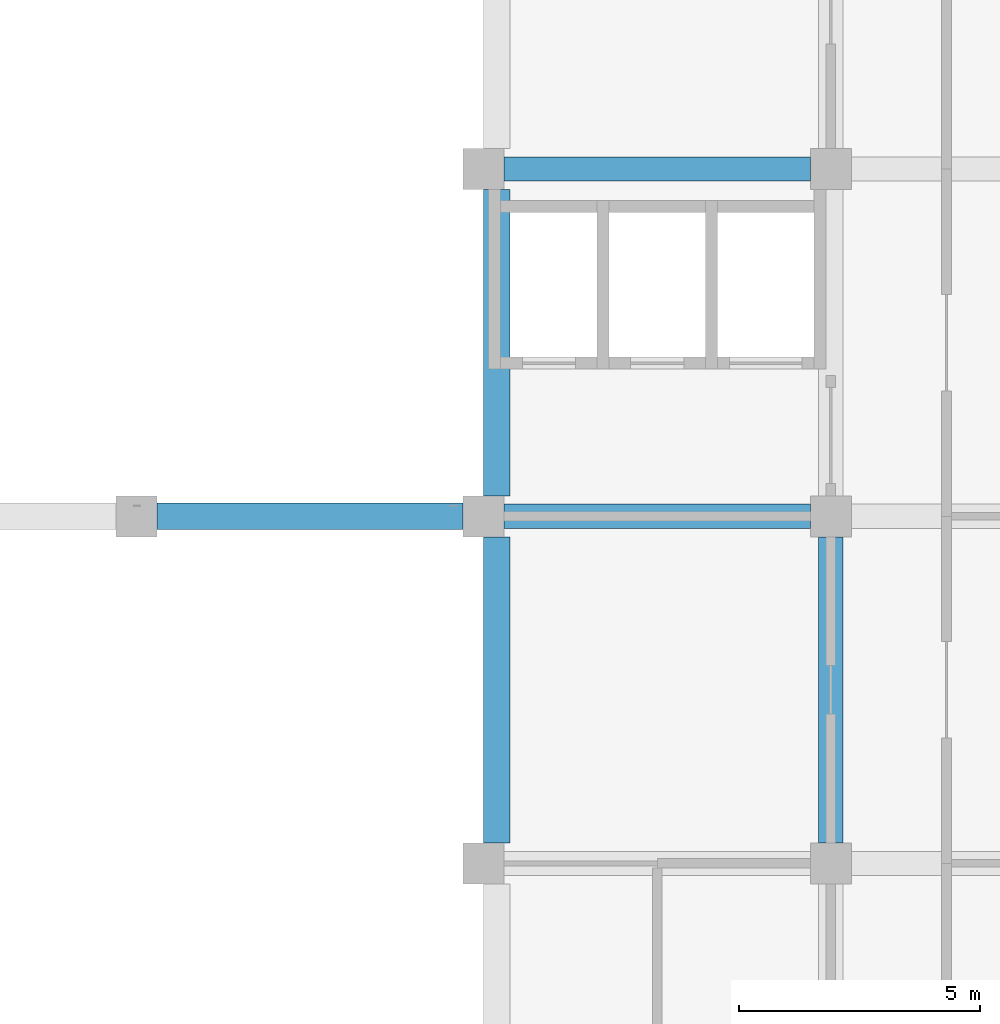
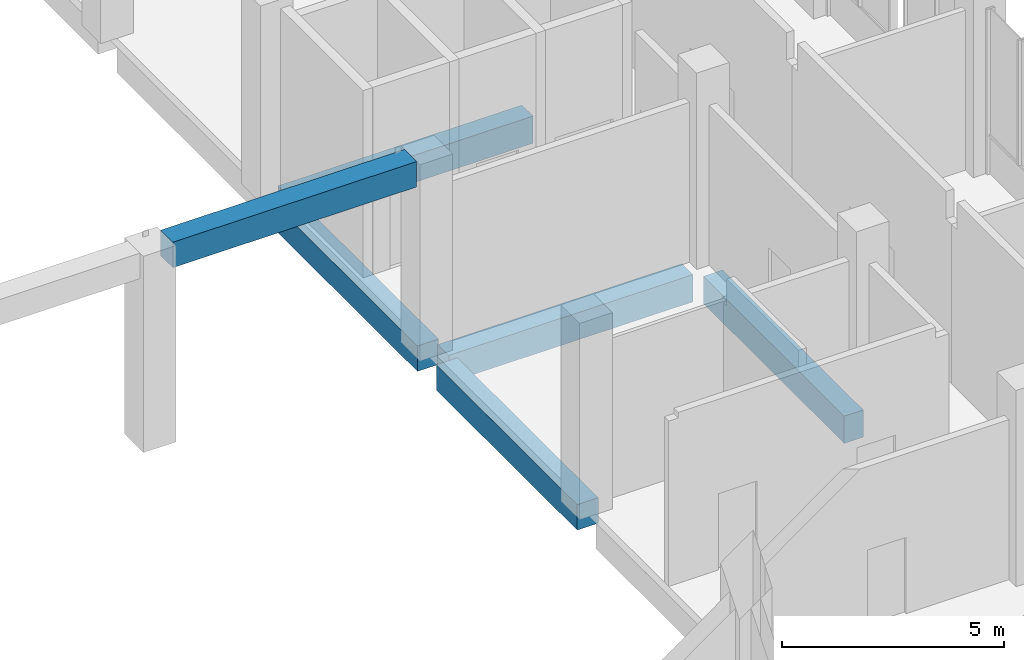
# One storey, part 14 of 48: 6 beams.
"""IFC4 building model written with IfcOpenShell, lengths in metres."""

from ifc_helpers import new_model, si_unit, direction, frame, origin, origin_2d, place, context, subcontext, project, spatial, rectangle, extrude, material, material_profile, profile_set, type_object, element, save


model = new_model("IFC4")

# Units and contexts
model_context = context("Model", 3, precision=1e-05, world=origin(), true_north=direction((0.0, 1.0)))
body_context = subcontext(model_context, "Body", "Model", "MODEL_VIEW")
ifc_project = project(units=[si_unit("LENGTHUNIT", "METRE"), si_unit("AREAUNIT", "SQUARE_METRE"), si_unit("VOLUMEUNIT", "CUBIC_METRE"), si_unit("PLANEANGLEUNIT", "RADIAN"), si_unit("MASSUNIT", "GRAM", prefix="KILO")], contexts=[model_context])

# Site, building, storey
site_placement = place(None, origin())
site = spatial("IfcSite", under=ifc_project, at=site_placement, CompositionType="ELEMENT")
building_placement = place(site_placement, origin())
building = spatial("IfcBuilding", under=site, at=building_placement, Name="Silangan Lancet Faculty of Sciences", CompositionType="ELEMENT")
storey_placement = place(building_placement, frame((0.0, 0.0, 6.0)))
storey = spatial("IfcBuildingStorey", under=building, at=storey_placement, Name="L01", CompositionType="ELEMENT", Elevation=6.0)

# Beams
ifc_material_1 = material(Name="Concrete C40/50", Category="concrete")
ifc_material_profile_1 = material_profile(ifc_material_1, rectangle(XDim=0.5, YDim=0.75, at=origin_2d()), Name="RC 500x750")
ifc_profile_set_1 = profile_set([ifc_material_profile_1], Name="Concrete C40/50")
beam_type_1 = type_object("IfcBeamType", Name="BEAM RC 500x750", PredefinedType="BEAM", material=ifc_profile_set_1)
for number, where, z_axis, x_axis, name in (
    (1, (72.425048828125, 21.60009765625, -0.625), (1.0, 0.0, 0.0), (0.0, 1.0, 0.0), "BM-L01-11D-12D"),
    (2, (72.425048828125, 28.800048828125, -0.625), (1.0, 0.0, 0.0), (0.0, 1.0, 0.0), "BM-L01-11E-12E"),
):
    element("IfcBeam", number, at=place(storey_placement, frame(where, z_axis=z_axis, x_axis=x_axis)), inside=storey, type_object=beam_type_1, Name=name, PredefinedType="BEAM", context=body_context, shape_type="SweptSolid", body=[
        extrude(rectangle(XDim=0.5, YDim=0.75, at=origin_2d()), origin(), (0.0, 0.0, 1.0), 6.349853515625),
    ])
beam_1_placement = place(storey_placement, frame((79.199951171875, 14.824951171875, -0.625), z_axis=(0.0, 1.0, 0.0), x_axis=(-1.0, 0.0, 0.0)))
element("IfcBeam", 3, at=beam_1_placement, inside=storey, type_object=beam_type_1, Name="BM-L01-12C-12D", PredefinedType="BEAM", context=body_context, shape_type="SweptSolid", body=[
    extrude(rectangle(XDim=0.5, YDim=0.75, at=origin_2d()), origin(), (0.0, 0.0, 1.0), 6.35009765625),
])
ifc_material_2 = material(Name="Concrete C40/50", Category="concrete")
ifc_material_profile_2 = material_profile(ifc_material_2, rectangle(XDim=0.550048828125, YDim=0.699951171875, at=origin_2d()), Name="RC 550x700")
ifc_profile_set_2 = profile_set([ifc_material_profile_2], Name="Concrete C40/50")
beam_type_2 = type_object("IfcBeamType", Name="BEAM RC 550x700", PredefinedType="BEAM", material=ifc_profile_set_2)
for number, where, z_axis, x_axis, name in (
    (4, (72.27490234375, 14.824951171875, -0.60009765625), (0.0, 1.0, 0.0), (-1.0, 0.0, 0.0), "BM-L01-11C-11D"),
    (5, (72.27490234375, 22.02490234375, -0.60009765625), (0.0, 1.0, 0.0), (-1.0, 0.0, 0.0), "BM-L01-11D-11E"),
):
    element("IfcBeam", number, at=place(storey_placement, frame(where, z_axis=z_axis, x_axis=x_axis)), inside=storey, type_object=beam_type_2, Name=name, PredefinedType="BEAM", context=body_context, shape_type="SweptSolid", body=[
        extrude(rectangle(XDim=0.550048828125, YDim=0.699951171875, at=origin_2d()), origin(), (0.0, 0.0, 1.0), 6.35009765625),
    ])
beam_2_placement = place(storey_placement, frame((65.22509765625, 21.60009765625, 5.050048828125), z_axis=(1.0, 0.0, 0.0), x_axis=(0.0, 1.0, 0.0)))
element("IfcBeam", 6, at=beam_2_placement, inside=storey, type_object=beam_type_2, Name="RB-L01-10D-11D", PredefinedType="BEAM", context=body_context, shape_type="SweptSolid", body=[
    extrude(rectangle(XDim=0.550048828125, YDim=0.699951171875, at=origin_2d()), origin(), (0.0, 0.0, 1.0), 6.349853515625),
])

save(model, "model.ifc")
